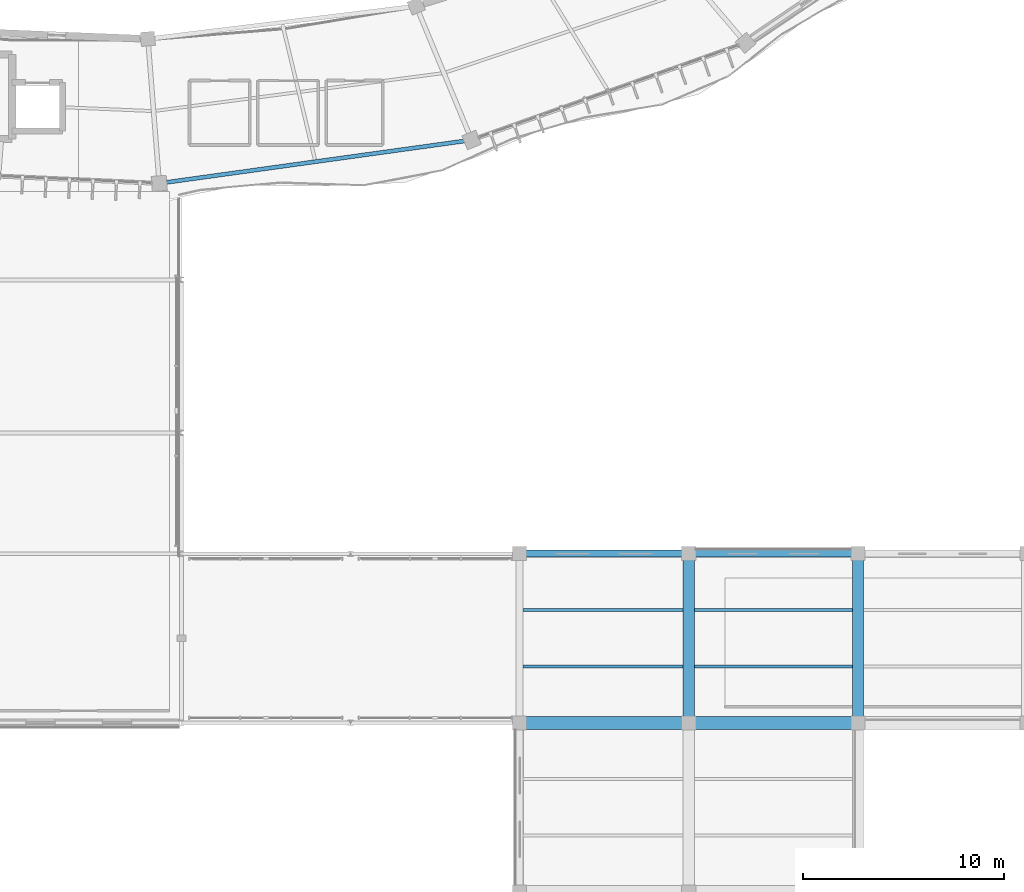
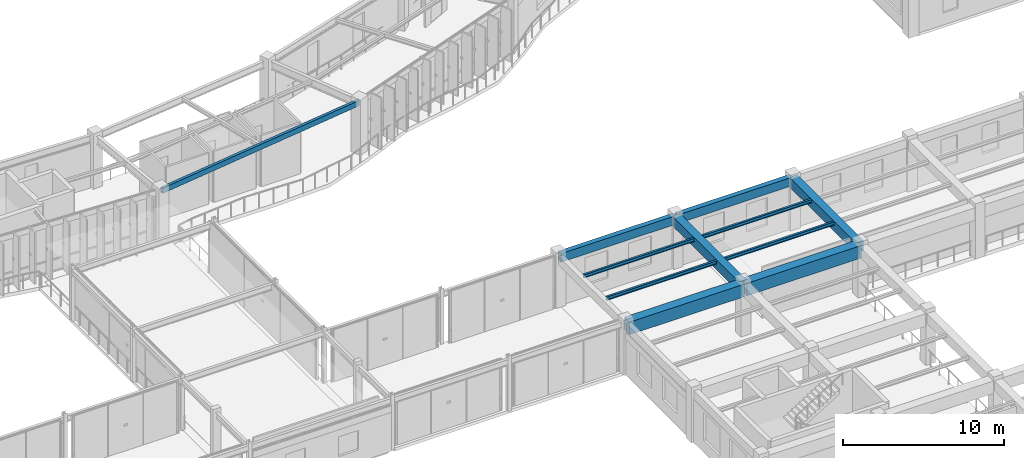
# One storey, part 45 of 152: 11 beams.
"""IFC4 building model written with IfcOpenShell, lengths in metres."""

from ifc_helpers import new_model, si_unit, direction, frame, origin, origin_2d, place, context, subcontext, project, spatial, rectangle, hollow_rectangle, i_section, extrude, material, material_profile, profile_set, type_object, element, save


model = new_model("IFC4")

# Units and contexts
model_context = context("Model", 3, precision=1e-05, world=origin(), true_north=direction((0.0, 1.0)))
body_context = subcontext(model_context, "Body", "Model", "MODEL_VIEW")
ifc_project = project(units=[si_unit("LENGTHUNIT", "METRE"), si_unit("AREAUNIT", "SQUARE_METRE"), si_unit("VOLUMEUNIT", "CUBIC_METRE"), si_unit("PLANEANGLEUNIT", "RADIAN"), si_unit("MASSUNIT", "GRAM", prefix="KILO"), si_unit("THERMODYNAMICTEMPERATUREUNIT", "KELVIN"), si_unit("POWERUNIT", "WATT")], contexts=[model_context])

# Site, building, storey
site_placement = place(None, origin())
site = spatial("IfcSite", under=ifc_project, at=site_placement, CompositionType="ELEMENT")
building_placement = place(site_placement, origin())
building = spatial("IfcBuilding", under=site, at=building_placement, Name="Darbajah Civic Hall", CompositionType="ELEMENT")
storey_placement = place(building_placement, frame((0.0, 0.0, 5.39990234375)))
storey = spatial("IfcBuildingStorey", under=building, at=storey_placement, Name="L01", CompositionType="ELEMENT", Elevation=5.39990234375)

# Beams
ifc_material_1 = material(Name="Concrete C45/55", Category="concrete")
ifc_material_profile_1 = material_profile(ifc_material_1, rectangle(XDim=0.550048828125, YDim=0.75, at=origin_2d()), Name="RC BEAM 550x750")
ifc_profile_set_1 = profile_set([ifc_material_profile_1], Name="Concrete C45/55")
beam_type_1 = type_object("IfcBeamType", Name="RC BEAM 550x750", PredefinedType="BEAM", material=ifc_profile_set_1)
for number, where, z_axis, x_axis, name in (
    (1, (119.39990234375, 33.679931640625, 3.525146484375), (0.0, 1.0, 0.0), (-1.0, 0.0, 0.0), "L01 beam BM-5575"),
    (2, (127.800048828125, 33.679931640625, 3.525146484375), (0.0, 1.0, 0.0), (-1.0, 0.0, 0.0), "L01 beam BM-5575"),
):
    element("IfcBeam", number, at=place(storey_placement, frame(where, z_axis=z_axis, x_axis=x_axis)), inside=storey, type_object=beam_type_1, Name=name, PredefinedType="BEAM", context=body_context, shape_type="SweptSolid", body=[
        extrude(rectangle(XDim=0.550048828125, YDim=0.75, at=origin_2d()), origin(), (0.0, 0.0, 1.0), 8.239990234375),
    ])
ifc_material_2 = material(Name="Concrete C50/60", Category="concrete")
ifc_material_profile_2 = material_profile(ifc_material_2, rectangle(XDim=0.64990234375, YDim=0.949951171875, at=origin_2d()), Name="RC GIRDER 650x950")
ifc_profile_set_2 = profile_set([ifc_material_profile_2], Name="Concrete C50/60")
beam_type_2 = type_object("IfcBeamType", Name="RC GIRDER 650x950", PredefinedType="BEAM", material=ifc_profile_set_2)
for number, where, z_axis, x_axis, name in (
    (3, (111.080078125, 33.60009765625, 3.425048828125), (1.0, 0.0, 0.0), (0.0, 1.0, 0.0), "L01 beam BG-6595"),
    (4, (119.47998046875, 33.60009765625, 3.425048828125), (1.0, 0.0, 0.0), (0.0, 1.0, 0.0), "L01 beam BG-6595"),
):
    element("IfcBeam", number, at=place(storey_placement, frame(where, z_axis=z_axis, x_axis=x_axis)), inside=storey, type_object=beam_type_2, Name=name, PredefinedType="BEAM", context=body_context, shape_type="SweptSolid", body=[
        extrude(rectangle(XDim=0.64990234375, YDim=0.949951171875, at=origin_2d()), origin(), (0.0, 0.0, 1.0), 8.239990234375),
    ])
ifc_material_profile_3 = material_profile(ifc_material_1, rectangle(XDim=0.35009765625, YDim=0.64990234375, at=origin_2d()), Name="RC SPANDREL 350x650")
ifc_profile_set_3 = profile_set([ifc_material_profile_3], Name="Concrete C45/55")
beam_type_3 = type_object("IfcBeamType", Name="RC SPANDREL 350x650", PredefinedType="SPANDREL", material=ifc_profile_set_3)
for number, where, z_axis, x_axis, name in (
    (5, (111.080078125, 42.0, 3.5751953125), (1.0, 0.0, 0.0), (0.0, 1.0, 0.0), "L01 beam SP-3565"),
    (6, (119.47998046875, 42.0, 3.5751953125), (1.0, 0.0, 0.0), (0.0, 1.0, 0.0), "L01 beam SP-3565"),
):
    element("IfcBeam", number, at=place(storey_placement, frame(where, z_axis=z_axis, x_axis=x_axis)), inside=storey, type_object=beam_type_3, Name=name, PredefinedType="SPANDREL", context=body_context, shape_type="SweptSolid", body=[
        extrude(rectangle(XDim=0.35009765625, YDim=0.64990234375, at=origin_2d()), origin(), (0.0, 0.0, 1.0), 8.239990234375),
    ])
ifc_material_3 = material(Name="Steel S355JR", Category="steel")
ifc_material_profile_4 = material_profile(ifc_material_3, hollow_rectangle(XDim=0.199951171875, YDim=0.39990234375, WallThickness=0.013916015625, at=origin_2d()), Name="RHS 400x200x14")
ifc_profile_set_4 = profile_set([ifc_material_profile_4], Name="Steel S355JR")
beam_type_4 = type_object("IfcBeamType", Name="RHS 400x200x14", PredefinedType="SPANDREL", material=ifc_profile_set_4)
beam_placement = place(storey_placement, frame((93.1806640625, 60.40185546875, 3.72021484375), z_axis=(0.990493107575, 0.137562363482, 0.0), x_axis=(-0.137562363482, 0.990493107575, 0.0)))
element("IfcBeam", 7, at=beam_placement, inside=storey, type_object=beam_type_4, Name="L01 beam SP-RHS400", PredefinedType="SPANDREL", context=body_context, shape_type="SweptSolid", body=[
    extrude(hollow_rectangle(XDim=0.199951171875, YDim=0.39990234375, WallThickness=0.013916015625, at=origin_2d()), origin(), (0.0, 0.0, 1.0), 15.50439453125),
])
ifc_material_profile_5 = material_profile(ifc_material_3, i_section(OverallWidth=0.146484375, OverallDepth=0.256103515625, WebThickness=0.00634765625, FlangeThickness=0.010986328125, FilletRadius=0.007568359375, at=origin_2d()), Name="UB 254x146x37")
ifc_profile_set_5 = profile_set([ifc_material_profile_5], Name="Steel S355JR")
beam_type_5 = type_object("IfcBeamType", Name="UB 254x146x37", PredefinedType="JOIST", material=ifc_profile_set_5)
for number, where, z_axis, x_axis, name in (
    (8, (111.175048828125, 36.39990234375, 3.772216796875), (1.0, 0.0, 0.0), (0.0, 1.0, 0.0), "L01 beam SJ-254"),
    (9, (111.175048828125, 39.199951171875, 3.772216796875), (1.0, 0.0, 0.0), (0.0, 1.0, 0.0), "L01 beam SJ-254"),
):
    element("IfcBeam", number, at=place(storey_placement, frame(where, z_axis=z_axis, x_axis=x_axis)), inside=storey, type_object=beam_type_5, Name=name, PredefinedType="JOIST", context=body_context, shape_type="SweptSolid", body=[
        extrude(i_section(OverallWidth=0.146484375, OverallDepth=0.256103515625, WebThickness=0.00634765625, FlangeThickness=0.010986328125, FilletRadius=0.007568359375, at=origin_2d()), origin(), (0.0, 0.0, 1.0), 7.949951171875),
    ])
for number, where, z_axis, x_axis, name in (
    (10, (119.675048828125, 36.39990234375, 3.772216796875), (1.0, 0.0, 0.0), (0.0, 1.0, 0.0), "L01 beam SJ-254"),
    (11, (119.675048828125, 39.199951171875, 3.772216796875), (1.0, 0.0, 0.0), (0.0, 1.0, 0.0), "L01 beam SJ-254"),
):
    element("IfcBeam", number, at=place(storey_placement, frame(where, z_axis=z_axis, x_axis=x_axis)), inside=storey, type_object=beam_type_5, Name=name, PredefinedType="JOIST", context=body_context, shape_type="SweptSolid", body=[
        extrude(i_section(OverallWidth=0.146484375, OverallDepth=0.256103515625, WebThickness=0.00634765625, FlangeThickness=0.010986328125, FilletRadius=0.007568359375, at=origin_2d()), origin(), (0.0, 0.0, 1.0), 7.849853515625),
    ])

save(model, "model.ifc")
